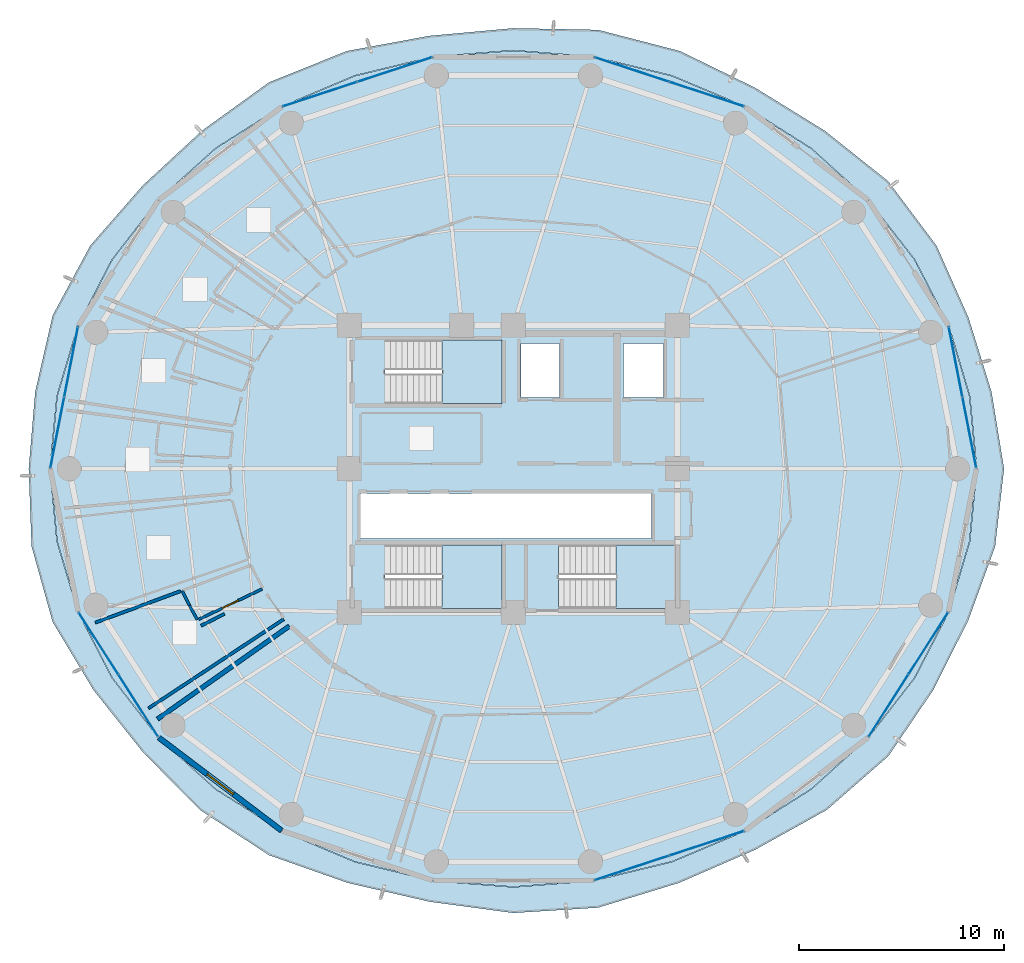
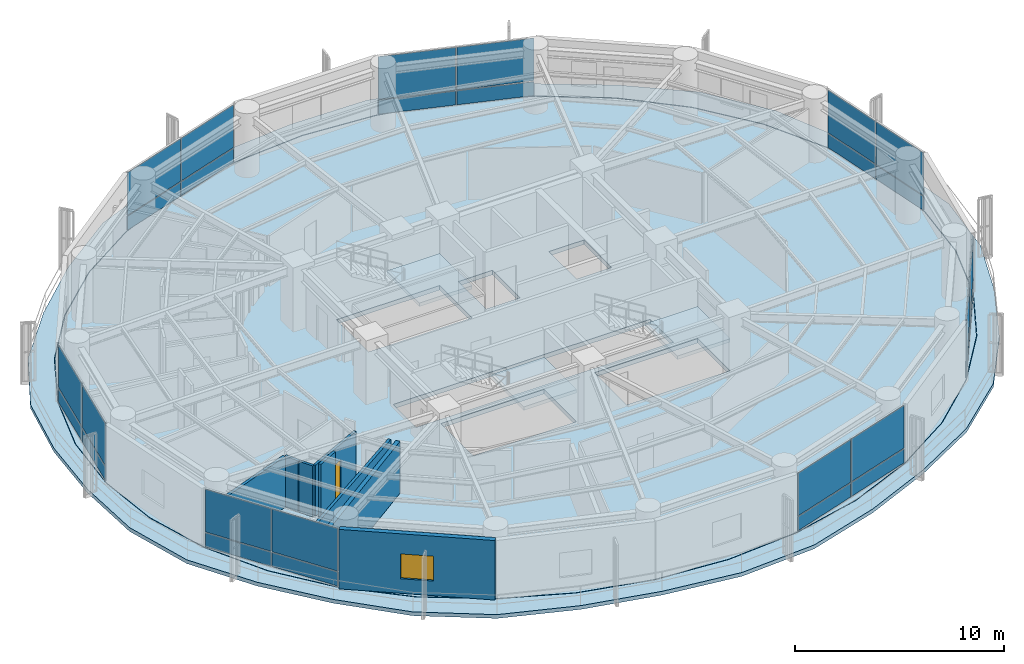
# One storey, part 20 of 27: 28 plates, 8 walls, 5 slabs, 1 door, 1 window, 2 openings, 10 elements without a shape of their own.
"""IFC4 building model written with IfcOpenShell, lengths in metres."""

from ifc_helpers import new_model, si_unit, direction, frame, frame_2d, origin, origin_2d, place, context, subcontext, project, spatial, polyline, rectangle, outline, extrude, source, transform, mapped, material, layer, layer_set, type_object, element, fill, aggregate, save


model = new_model("IFC4")

# Units and contexts
model_context = context("Model", 3, precision=1e-05, world=origin(), true_north=direction((0.0, 1.0)))
body_context = subcontext(model_context, "Body", "Model", "MODEL_VIEW")
ifc_project = project(units=[si_unit("LENGTHUNIT", "METRE"), si_unit("AREAUNIT", "SQUARE_METRE"), si_unit("VOLUMEUNIT", "CUBIC_METRE"), si_unit("PLANEANGLEUNIT", "RADIAN"), si_unit("MASSUNIT", "GRAM", prefix="KILO")], contexts=[model_context])

# Site, building, storey
site_placement = place(None, origin())
site = spatial("IfcSite", under=ifc_project, at=site_placement, CompositionType="ELEMENT")
building_placement = place(site_placement, origin())
building = spatial("IfcBuilding", under=site, at=building_placement, Name="Kelanora Arch Commons", CompositionType="ELEMENT")
storey_placement = place(building_placement, frame((0.0, 0.0, 169.35009765625)))
storey = spatial("IfcBuildingStorey", under=building, at=storey_placement, Name="L43", CompositionType="ELEMENT", Elevation=169.35009765625)

# Stair, slab
ifc_material_1 = material(Name="Concrete C40/50", Category="concrete")
stair_type = type_object("IfcStairType", Name="STR-DL-375", PredefinedType="HALF_TURN_STAIR", material=ifc_material_1)
stair_1_placement = place(storey_placement, origin())
stair_1 = element("IfcStair", 1, at=stair_1_placement, inside=storey, type_object=stair_type, Name="L43 ST-T1", PredefinedType="HALF_TURN_STAIR")
ifc_layer_1 = layer(ifc_material_1, 0.199951171875)
ifc_layer_set_1 = layer_set([ifc_layer_1], Name="Concrete C40/50")
slab_type_1 = type_object("IfcSlabType", Name="SLB-STAIR-LND", PredefinedType="LANDING", material=ifc_layer_set_1)
slab_1_placement = place(storey_placement, frame((0.0, 0.0, 1.6748046875)))
slab_1 = element("IfcSlab", 2, at=slab_1_placement, type_object=slab_type_1, Name="ST-T1 landing 1", PredefinedType="LANDING", context=body_context, shape_type="SweptSolid", body=[
    extrude(outline(polyline([(70.52001953125, 61.179931640625), (73.43994140625, 61.179931640625), (73.43994140625, 64.2900390625), (70.52001953125, 64.2900390625), (70.52001953125, 61.179931640625)])), origin(), (0.0, 0.0, 1.0), 0.2001953125),
])
aggregate(stair_1, [slab_1])

stair_2_placement = place(storey_placement, origin())
stair_2 = element("IfcStair", 3, at=stair_2_placement, inside=storey, type_object=stair_type, Name="L43 ST-T2", PredefinedType="HALF_TURN_STAIR")
slab_2_placement = place(storey_placement, frame((0.0, 0.0, 1.6748046875)))
slab_2 = element("IfcSlab", 4, at=slab_2_placement, type_object=slab_type_1, Name="ST-T2 landing 1", PredefinedType="LANDING", context=body_context, shape_type="SweptSolid", body=[
    extrude(outline(polyline([(79.0, 51.179931640625), (81.919921875, 51.179931640625), (81.919921875, 54.2900390625), (79.0, 54.2900390625), (79.0, 51.179931640625)])), origin(), (0.0, 0.0, 1.0), 0.2001953125),
])
aggregate(stair_2, [slab_2])

stair_3_placement = place(storey_placement, origin())
stair_3 = element("IfcStair", 5, at=stair_3_placement, inside=storey, type_object=stair_type, Name="L43 ST-T3", PredefinedType="HALF_TURN_STAIR")
slab_3_placement = place(storey_placement, frame((0.0, 0.0, 1.6748046875)))
slab_3 = element("IfcSlab", 6, at=slab_3_placement, type_object=slab_type_1, Name="ST-T3 landing 1", PredefinedType="LANDING", context=body_context, shape_type="SweptSolid", body=[
    extrude(outline(polyline([(70.52001953125, 51.179931640625), (73.43994140625, 51.179931640625), (73.43994140625, 54.2900390625), (70.52001953125, 54.2900390625), (70.52001953125, 51.179931640625)])), origin(), (0.0, 0.0, 1.0), 0.2001953125),
])
aggregate(stair_3, [slab_3])

# Slabs
ifc_layer_2 = layer(ifc_material_1, 0.260009765625)
ifc_layer_set_2 = layer_set([ifc_layer_2], Name="Concrete C40/50")
slab_type_2 = type_object("IfcSlabType", Name="SLB-TWR-TYP", PredefinedType="FLOOR", material=ifc_layer_set_2)
slab_4_placement = place(storey_placement, frame((0.0, 0.0, -0.260009765625)))
element("IfcSlab", 7, at=slab_4_placement, inside=storey, type_object=slab_type_2, Name="Tower Floor Slab L43", PredefinedType="FLOOR", context=body_context, shape_type="SweptSolid", body=[
    extrude(outline(polyline([(96.60009765625, 58.0), (96.256591796875, 61.54248046875), (95.237060546875, 64.977294921875), (93.572265625, 68.199951171875), (91.3125, 71.11279296875), (88.527099609375, 73.627197265625), (85.300048828125, 75.6669921875), (81.729736328125, 77.169677734375), (77.92431640625, 78.090087890625), (74.0, 78.39990234375), (70.07568359375, 78.090087890625), (66.270263671875, 77.169677734375), (62.699951171875, 75.6669921875), (59.472900390625, 73.627197265625), (56.6875, 71.11279296875), (54.427734375, 68.199951171875), (52.762939453125, 64.977294921875), (51.743408203125, 61.54248046875), (51.39990234375, 58.0), (51.743408203125, 54.45751953125), (52.762939453125, 51.022705078125), (54.427734375, 47.800048828125), (56.6875, 44.88720703125), (59.472900390625, 42.372802734375), (62.699951171875, 40.3330078125), (66.270263671875, 38.830322265625), (70.07568359375, 37.909912109375), (74.0, 37.60009765625), (77.92431640625, 37.909912109375), (81.729736328125, 38.830322265625), (85.300048828125, 40.3330078125), (88.527099609375, 42.372802734375), (91.3125, 44.88720703125), (93.572265625, 47.800048828125), (95.237060546875, 51.022705078125), (96.256591796875, 54.45751953125), (96.60009765625, 58.0)]), holes=[polyline([(73.431884765625, 51.18798828125), (67.72802734375, 51.18798828125), (67.72802734375, 54.281982421875), (73.431884765625, 54.281982421875), (73.431884765625, 51.18798828125)]), polyline([(76.2080078125, 51.18798828125), (76.2080078125, 54.281982421875), (81.912109375, 54.281982421875), (81.912109375, 51.18798828125), (76.2080078125, 51.18798828125)]), polyline([(66.550048828125, 54.60009765625), (66.550048828125, 56.800048828125), (80.75, 56.800048828125), (80.75, 54.60009765625), (66.550048828125, 54.60009765625)]), polyline([(73.431884765625, 61.18798828125), (67.72802734375, 61.18798828125), (67.72802734375, 64.281982421875), (73.431884765625, 64.281982421875), (73.431884765625, 61.18798828125)]), polyline([(74.3798828125, 61.47998046875), (74.3798828125, 64.1201171875), (76.260009765625, 64.1201171875), (76.260009765625, 61.47998046875), (74.3798828125, 61.47998046875)]), polyline([(79.3798828125, 61.47998046875), (79.3798828125, 64.1201171875), (81.320068359375, 64.1201171875), (81.320068359375, 61.47998046875), (79.3798828125, 61.47998046875)])]), origin(), (0.0, 0.0, 1.0), 0.260009765625),
])
ifc_layer_3 = layer(ifc_material_1, 0.219970703125)
ifc_layer_set_3 = layer_set([ifc_layer_3], Name="Concrete C40/50")
slab_type_3 = type_object("IfcSlabType", Name="SLB-WAVE-BAL", PredefinedType="FLOOR", material=ifc_layer_set_3)
slab_5_placement = place(storey_placement, frame((0.0, 0.0, -0.22021484375)))
element("IfcSlab", 8, at=slab_5_placement, inside=storey, type_object=slab_type_3, Name="Sinusoidal Wave Balcony Slab L43", PredefinedType="FLOOR", context=body_context, shape_type="SweptSolid", body=[
    extrude(outline(polyline([(97.94287109375, 58.0), (97.333251953125, 61.752685546875), (96.2109375, 65.369873046875), (94.64794921875, 68.88818359375), (92.296142578125, 72.027099609375), (89.189208984375, 74.501708984375), (85.785400390625, 76.59814453125), (82.128173828125, 78.3828125), (78.135498046875, 79.416259765625), (74.0, 79.4970703125), (69.910400390625, 79.126953125), (65.871826171875, 78.3828125), (62.079345703125, 76.85791015625), (58.810791015625, 74.501708984375), (55.91845703125, 71.827880859375), (53.35205078125, 68.88818359375), (51.517578125, 65.4794921875), (50.666748046875, 61.752685546875), (50.35009765625, 58.0), (50.489990234375, 54.212890625), (51.517578125, 50.5205078125), (53.503662109375, 47.208984375), (55.91845703125, 44.172119140625), (58.701904296875, 41.354736328125), (62.079345703125, 39.14208984375), (65.927978515625, 37.7880859375), (69.910400390625, 36.873046875), (74.0, 36.322998046875), (78.135498046875, 36.583740234375), (82.072021484375, 37.7880859375), (85.785400390625, 39.40185546875), (89.298095703125, 41.354736328125), (92.296142578125, 43.972900390625), (94.496337890625, 47.208984375), (96.2109375, 50.630126953125), (97.510009765625, 54.212890625), (97.94287109375, 58.0)]), holes=[polyline([(96.2763671875, 54.4541015625), (95.255859375, 51.015869140625), (93.589599609375, 47.7900390625), (91.327880859375, 44.874267578125), (88.539794921875, 42.357421875), (85.31005859375, 40.31591796875), (81.736572265625, 38.8115234375), (77.927978515625, 37.89013671875), (74.0, 37.580078125), (70.072021484375, 37.89013671875), (66.263427734375, 38.8115234375), (62.68994140625, 40.31591796875), (59.460205078125, 42.357421875), (56.672119140625, 44.874267578125), (54.410400390625, 47.7900390625), (52.744140625, 51.015869140625), (51.7236328125, 54.4541015625), (51.3798828125, 58.0), (51.7236328125, 61.5458984375), (52.744140625, 64.984130859375), (54.410400390625, 68.2099609375), (56.672119140625, 71.125732421875), (59.460205078125, 73.642578125), (62.68994140625, 75.68408203125), (66.263427734375, 77.1884765625), (70.072021484375, 78.10986328125), (74.0, 78.419921875), (77.927978515625, 78.10986328125), (81.736572265625, 77.1884765625), (85.31005859375, 75.68408203125), (88.539794921875, 73.642578125), (91.327880859375, 71.125732421875), (93.589599609375, 68.2099609375), (95.255859375, 64.984130859375), (96.2763671875, 61.5458984375), (96.6201171875, 58.0), (96.2763671875, 54.4541015625)])]), origin(), (0.0, 0.0, 1.0), 0.22021484375),
])

# Curtain wall, plates
ifc_material_2 = material(Name="Terracotta ceramic-fritted low-E glass and aluminium", Category="masonry")
ifc_layer_4 = layer(ifc_material_2, 0.175048828125)
ifc_layer_set_4 = layer_set([ifc_layer_4], Name="Terracotta ceramic-fritted low-E glass and aluminium")
curtain_wall_type = type_object("IfcCurtainWallType", Name="CW-SYS-02", PredefinedType="NOTDEFINED", material=ifc_layer_set_4)
curtain_wall_1_placement = place(storey_placement, origin())
curtain_wall_1 = element("IfcCurtainWall", 9, at=curtain_wall_1_placement, inside=storey, type_object=curtain_wall_type, Name="Unitised Curtain Wall L43-B00", PredefinedType="NOTDEFINED")
ifc_material_3 = material(Name="Terracotta ceramic-fritted double glazing", Category="masonry")
ifc_layer_5 = layer(ifc_material_3, 0.028076171875)
ifc_layer_set_5 = layer_set([ifc_layer_5], Name="Terracotta ceramic-fritted double glazing")
plate_type = type_object("IfcPlateType", Name="CWP-FRIT", PredefinedType="CURTAIN_PANEL", material=ifc_layer_set_5)
shared_shape_1 = source(origin(), body_context, "Body", "SweptSolid", [
    extrude(rectangle(XDim=3.449462890625, YDim=0.028076171875, at=origin_2d()), origin(), (0.0, 0.0, 1.0), 0.81005859375),
])
plate_1_placement = place(storey_placement, frame((96.2548828125, 59.766357421875, 0.059814453125), z_axis=(0.0, 0.0, 1.0), x_axis=(-0.191705182375, 0.981452557718, 0.0)))
plate_1 = element("IfcPlate", 10, at=plate_1_placement, type_object=plate_type, Name="CW-02 panel 1.1", PredefinedType="CURTAIN_PANEL", context=body_context, shape_type="MappedRepresentation", body=[
    mapped(shared_shape_1, transform((0.0, 0.0, 0.0), scale=1.0)),
])
plate_2_placement = place(storey_placement, frame((95.58203125, 63.2109375, 0.059814453125), z_axis=(0.0, 0.0, 1.0), x_axis=(-0.191705182375, 0.981452557718, 0.0)))
plate_2 = element("IfcPlate", 11, at=plate_2_placement, type_object=plate_type, Name="CW-02 panel 2.1", PredefinedType="CURTAIN_PANEL", context=body_context, shape_type="MappedRepresentation", body=[
    mapped(shared_shape_1, transform((0.0, 0.0, 0.0), scale=1.0)),
])

curtain_wall_2_placement = place(storey_placement, origin())
curtain_wall_2 = element("IfcCurtainWall", 12, at=curtain_wall_2_placement, inside=storey, type_object=curtain_wall_type, Name="Unitised Curtain Wall L43-B08", PredefinedType="NOTDEFINED")
plate_3_placement = place(storey_placement, frame((52.41796875, 63.2109375, 0.059814453125), z_axis=(0.0, 0.0, 1.0), x_axis=(-0.191705182375, -0.981452557718, 0.0)))
plate_3 = element("IfcPlate", 13, at=plate_3_placement, type_object=plate_type, Name="CW-02 panel 1.1", PredefinedType="CURTAIN_PANEL", context=body_context, shape_type="MappedRepresentation", body=[
    mapped(shared_shape_1, transform((0.0, 0.0, 0.0), scale=1.0)),
])
plate_4_placement = place(storey_placement, frame((51.7451171875, 59.766357421875, 0.059814453125), z_axis=(0.0, 0.0, 1.0), x_axis=(-0.191705182375, -0.981452557718, 0.0)))
plate_4 = element("IfcPlate", 14, at=plate_4_placement, type_object=plate_type, Name="CW-02 panel 2.1", PredefinedType="CURTAIN_PANEL", context=body_context, shape_type="MappedRepresentation", body=[
    mapped(shared_shape_1, transform((0.0, 0.0, 0.0), scale=1.0)),
])

# Plate
shared_shape_2 = source(origin(), body_context, "Body", "SweptSolid", [
    extrude(rectangle(XDim=3.449462890625, YDim=0.028076171875, at=origin_2d()), origin(), (0.0, 0.0, 1.0), 2.485107421875),
])
plate_5_placement = place(storey_placement, frame((96.2548828125, 59.766357421875, 0.9296875), z_axis=(0.0, 0.0, 1.0), x_axis=(-0.191705182375, 0.981452557718, 0.0)))
plate_5 = element("IfcPlate", 15, at=plate_5_placement, type_object=plate_type, Name="CW-02 panel 1.2", PredefinedType="CURTAIN_PANEL", context=body_context, shape_type="MappedRepresentation", body=[
    mapped(shared_shape_2, transform((0.0, 0.0, 0.0), scale=1.0)),
])

plate_6_placement = place(storey_placement, frame((95.58203125, 63.2109375, 0.9296875), z_axis=(0.0, 0.0, 1.0), x_axis=(-0.191705182375, 0.981452557718, 0.0)))
plate_6 = element("IfcPlate", 16, at=plate_6_placement, type_object=plate_type, Name="CW-02 panel 2.2", PredefinedType="CURTAIN_PANEL", context=body_context, shape_type="MappedRepresentation", body=[
    mapped(shared_shape_2, transform((0.0, 0.0, 0.0), scale=1.0)),
])

aggregate(curtain_wall_1, [plate_1, plate_5, plate_2, plate_6])

plate_7_placement = place(storey_placement, frame((52.41796875, 63.2109375, 0.9296875), z_axis=(0.0, 0.0, 1.0), x_axis=(-0.191705182375, -0.981452557718, 0.0)))
plate_7 = element("IfcPlate", 17, at=plate_7_placement, type_object=plate_type, Name="CW-02 panel 1.2", PredefinedType="CURTAIN_PANEL", context=body_context, shape_type="MappedRepresentation", body=[
    mapped(shared_shape_2, transform((0.0, 0.0, 0.0), scale=1.0)),
])

plate_8_placement = place(storey_placement, frame((51.7451171875, 59.766357421875, 0.9296875), z_axis=(0.0, 0.0, 1.0), x_axis=(-0.191705182375, -0.981452557718, 0.0)))
plate_8 = element("IfcPlate", 18, at=plate_8_placement, type_object=plate_type, Name="CW-02 panel 2.2", PredefinedType="CURTAIN_PANEL", context=body_context, shape_type="MappedRepresentation", body=[
    mapped(shared_shape_2, transform((0.0, 0.0, 0.0), scale=1.0)),
])

aggregate(curtain_wall_2, [plate_3, plate_7, plate_4, plate_8])

# Curtain wall, plates
curtain_wall_3_placement = place(storey_placement, origin())
curtain_wall_3 = element("IfcCurtainWall", 19, at=curtain_wall_3_placement, inside=storey, type_object=curtain_wall_type, Name="Unitised Curtain Wall L43-B03", PredefinedType="NOTDEFINED")
shared_shape_3 = source(origin(), body_context, "Body", "SweptSolid", [
    extrude(rectangle(XDim=3.776611328125, YDim=0.028076171875, at=origin_2d()), origin(), (0.0, 0.0, 1.0), 0.81005859375),
])
plate_9_placement = place(storey_placement, frame((83.434814453125, 76.27978515625, 0.059814453125), z_axis=(0.0, 0.0, 1.0), x_axis=(-0.95003996605, 0.312128279571, 0.0)))
plate_9 = element("IfcPlate", 20, at=plate_9_placement, type_object=plate_type, Name="CW-02 panel 1.1", PredefinedType="CURTAIN_PANEL", context=body_context, shape_type="MappedRepresentation", body=[
    mapped(shared_shape_3, transform((0.0, 0.0, 0.0), scale=1.0)),
])
plate_10_placement = place(storey_placement, frame((79.789794921875, 77.477294921875, 0.059814453125), z_axis=(0.0, 0.0, 1.0), x_axis=(-0.95003996605, 0.312128279571, 0.0)))
plate_10 = element("IfcPlate", 21, at=plate_10_placement, type_object=plate_type, Name="CW-02 panel 2.1", PredefinedType="CURTAIN_PANEL", context=body_context, shape_type="MappedRepresentation", body=[
    mapped(shared_shape_3, transform((0.0, 0.0, 0.0), scale=1.0)),
])

curtain_wall_4_placement = place(storey_placement, origin())
curtain_wall_4 = element("IfcCurtainWall", 22, at=curtain_wall_4_placement, inside=storey, type_object=curtain_wall_type, Name="Unitised Curtain Wall L43-B05", PredefinedType="NOTDEFINED")
plate_11_placement = place(storey_placement, frame((68.210205078125, 77.477294921875, 0.059814453125), z_axis=(0.0, 0.0, 1.0), x_axis=(-0.95003996605, -0.312128279571, 0.0)))
plate_11 = element("IfcPlate", 23, at=plate_11_placement, type_object=plate_type, Name="CW-02 panel 1.1", PredefinedType="CURTAIN_PANEL", context=body_context, shape_type="MappedRepresentation", body=[
    mapped(shared_shape_3, transform((0.0, 0.0, 0.0), scale=1.0)),
])
plate_12_placement = place(storey_placement, frame((64.565185546875, 76.27978515625, 0.059814453125), z_axis=(0.0, 0.0, 1.0), x_axis=(-0.95003996605, -0.312128279571, 0.0)))
plate_12 = element("IfcPlate", 24, at=plate_12_placement, type_object=plate_type, Name="CW-02 panel 2.1", PredefinedType="CURTAIN_PANEL", context=body_context, shape_type="MappedRepresentation", body=[
    mapped(shared_shape_3, transform((0.0, 0.0, 0.0), scale=1.0)),
])

curtain_wall_5_placement = place(storey_placement, origin())
curtain_wall_5 = element("IfcCurtainWall", 25, at=curtain_wall_5_placement, inside=storey, type_object=curtain_wall_type, Name="Unitised Curtain Wall L43-B14", PredefinedType="NOTDEFINED")
plate_13_placement = place(storey_placement, frame((79.789794921875, 38.522705078125, 0.059814453125), z_axis=(0.0, 0.0, 1.0), x_axis=(0.95003996605, 0.312128279571, 0.0)))
plate_13 = element("IfcPlate", 26, at=plate_13_placement, type_object=plate_type, Name="CW-02 panel 1.1", PredefinedType="CURTAIN_PANEL", context=body_context, shape_type="MappedRepresentation", body=[
    mapped(shared_shape_3, transform((0.0, 0.0, 0.0), scale=1.0)),
])
plate_14_placement = place(storey_placement, frame((83.434814453125, 39.72021484375, 0.059814453125), z_axis=(0.0, 0.0, 1.0), x_axis=(0.95003996605, 0.312128279571, 0.0)))
plate_14 = element("IfcPlate", 27, at=plate_14_placement, type_object=plate_type, Name="CW-02 panel 2.1", PredefinedType="CURTAIN_PANEL", context=body_context, shape_type="MappedRepresentation", body=[
    mapped(shared_shape_3, transform((0.0, 0.0, 0.0), scale=1.0)),
])

# Plate
shared_shape_4 = source(origin(), body_context, "Body", "SweptSolid", [
    extrude(rectangle(XDim=3.776611328125, YDim=0.028076171875, at=origin_2d()), origin(), (0.0, 0.0, 1.0), 2.485107421875),
])
plate_15_placement = place(storey_placement, frame((83.434814453125, 76.27978515625, 0.9296875), z_axis=(0.0, 0.0, 1.0), x_axis=(-0.95003996605, 0.312128279571, 0.0)))
plate_15 = element("IfcPlate", 28, at=plate_15_placement, type_object=plate_type, Name="CW-02 panel 1.2", PredefinedType="CURTAIN_PANEL", context=body_context, shape_type="MappedRepresentation", body=[
    mapped(shared_shape_4, transform((0.0, 0.0, 0.0), scale=1.0)),
])

plate_16_placement = place(storey_placement, frame((79.789794921875, 77.477294921875, 0.9296875), z_axis=(0.0, 0.0, 1.0), x_axis=(-0.95003996605, 0.312128279571, 0.0)))
plate_16 = element("IfcPlate", 29, at=plate_16_placement, type_object=plate_type, Name="CW-02 panel 2.2", PredefinedType="CURTAIN_PANEL", context=body_context, shape_type="MappedRepresentation", body=[
    mapped(shared_shape_4, transform((0.0, 0.0, 0.0), scale=1.0)),
])

aggregate(curtain_wall_3, [plate_9, plate_15, plate_10, plate_16])

plate_17_placement = place(storey_placement, frame((68.210205078125, 77.477294921875, 0.9296875), z_axis=(0.0, 0.0, 1.0), x_axis=(-0.95003996605, -0.312128279571, 0.0)))
plate_17 = element("IfcPlate", 30, at=plate_17_placement, type_object=plate_type, Name="CW-02 panel 1.2", PredefinedType="CURTAIN_PANEL", context=body_context, shape_type="MappedRepresentation", body=[
    mapped(shared_shape_4, transform((0.0, 0.0, 0.0), scale=1.0)),
])

plate_18_placement = place(storey_placement, frame((64.565185546875, 76.27978515625, 0.9296875), z_axis=(0.0, 0.0, 1.0), x_axis=(-0.95003996605, -0.312128279571, 0.0)))
plate_18 = element("IfcPlate", 31, at=plate_18_placement, type_object=plate_type, Name="CW-02 panel 2.2", PredefinedType="CURTAIN_PANEL", context=body_context, shape_type="MappedRepresentation", body=[
    mapped(shared_shape_4, transform((0.0, 0.0, 0.0), scale=1.0)),
])

aggregate(curtain_wall_4, [plate_11, plate_17, plate_12, plate_18])

plate_19_placement = place(storey_placement, frame((79.789794921875, 38.522705078125, 0.9296875), z_axis=(0.0, 0.0, 1.0), x_axis=(0.95003996605, 0.312128279571, 0.0)))
plate_19 = element("IfcPlate", 32, at=plate_19_placement, type_object=plate_type, Name="CW-02 panel 1.2", PredefinedType="CURTAIN_PANEL", context=body_context, shape_type="MappedRepresentation", body=[
    mapped(shared_shape_4, transform((0.0, 0.0, 0.0), scale=1.0)),
])

plate_20_placement = place(storey_placement, frame((83.434814453125, 39.72021484375, 0.9296875), z_axis=(0.0, 0.0, 1.0), x_axis=(0.95003996605, 0.312128279571, 0.0)))
plate_20 = element("IfcPlate", 33, at=plate_20_placement, type_object=plate_type, Name="CW-02 panel 2.2", PredefinedType="CURTAIN_PANEL", context=body_context, shape_type="MappedRepresentation", body=[
    mapped(shared_shape_4, transform((0.0, 0.0, 0.0), scale=1.0)),
])

aggregate(curtain_wall_5, [plate_13, plate_19, plate_14, plate_20])

# Curtain wall, plates
curtain_wall_6_placement = place(storey_placement, origin())
curtain_wall_6 = element("IfcCurtainWall", 34, at=curtain_wall_6_placement, inside=storey, type_object=curtain_wall_type, Name="Unitised Curtain Wall L43-B10", PredefinedType="NOTDEFINED")
shared_shape_5 = source(origin(), body_context, "Body", "SweptSolid", [
    extrude(rectangle(XDim=3.53662109375, YDim=0.028076171875, at=origin_2d()), origin(), (0.0, 0.0, 1.0), 0.81005859375),
])
plate_21_placement = place(storey_placement, frame((53.756103515625, 49.469970703125, 0.059814453125), z_axis=(0.0, 0.0, 1.0), x_axis=(0.538816988983, -0.842422846546, 0.0)))
plate_21 = element("IfcPlate", 35, at=plate_21_placement, type_object=plate_type, Name="CW-02 panel 1.1", PredefinedType="CURTAIN_PANEL", context=body_context, shape_type="MappedRepresentation", body=[
    mapped(shared_shape_5, transform((0.0, 0.0, 0.0), scale=1.0)),
])
plate_22_placement = place(storey_placement, frame((55.694091796875, 46.43994140625, 0.059814453125), z_axis=(0.0, 0.0, 1.0), x_axis=(0.538816988983, -0.842422846546, 0.0)))
plate_22 = element("IfcPlate", 36, at=plate_22_placement, type_object=plate_type, Name="CW-02 panel 2.1", PredefinedType="CURTAIN_PANEL", context=body_context, shape_type="MappedRepresentation", body=[
    mapped(shared_shape_5, transform((0.0, 0.0, 0.0), scale=1.0)),
])

curtain_wall_7_placement = place(storey_placement, origin())
curtain_wall_7 = element("IfcCurtainWall", 37, at=curtain_wall_7_placement, inside=storey, type_object=curtain_wall_type, Name="Unitised Curtain Wall L43-B16", PredefinedType="NOTDEFINED")
plate_23_placement = place(storey_placement, frame((92.305908203125, 46.43994140625, 0.059814453125), z_axis=(0.0, 0.0, 1.0), x_axis=(0.538816988983, 0.842422846546, 0.0)))
plate_23 = element("IfcPlate", 38, at=plate_23_placement, type_object=plate_type, Name="CW-02 panel 1.1", PredefinedType="CURTAIN_PANEL", context=body_context, shape_type="MappedRepresentation", body=[
    mapped(shared_shape_5, transform((0.0, 0.0, 0.0), scale=1.0)),
])
plate_24_placement = place(storey_placement, frame((94.243896484375, 49.469970703125, 0.059814453125), z_axis=(0.0, 0.0, 1.0), x_axis=(0.538816988983, 0.842422846546, 0.0)))
plate_24 = element("IfcPlate", 39, at=plate_24_placement, type_object=plate_type, Name="CW-02 panel 2.1", PredefinedType="CURTAIN_PANEL", context=body_context, shape_type="MappedRepresentation", body=[
    mapped(shared_shape_5, transform((0.0, 0.0, 0.0), scale=1.0)),
])

# Plate
shared_shape_6 = source(origin(), body_context, "Body", "SweptSolid", [
    extrude(rectangle(XDim=3.53662109375, YDim=0.028076171875, at=origin_2d()), origin(), (0.0, 0.0, 1.0), 2.485107421875),
])
plate_25_placement = place(storey_placement, frame((53.756103515625, 49.469970703125, 0.9296875), z_axis=(0.0, 0.0, 1.0), x_axis=(0.538816988983, -0.842422846546, 0.0)))
plate_25 = element("IfcPlate", 40, at=plate_25_placement, type_object=plate_type, Name="CW-02 panel 1.2", PredefinedType="CURTAIN_PANEL", context=body_context, shape_type="MappedRepresentation", body=[
    mapped(shared_shape_6, transform((0.0, 0.0, 0.0), scale=1.0)),
])

plate_26_placement = place(storey_placement, frame((55.694091796875, 46.43994140625, 0.9296875), z_axis=(0.0, 0.0, 1.0), x_axis=(0.538816988983, -0.842422846546, 0.0)))
plate_26 = element("IfcPlate", 41, at=plate_26_placement, type_object=plate_type, Name="CW-02 panel 2.2", PredefinedType="CURTAIN_PANEL", context=body_context, shape_type="MappedRepresentation", body=[
    mapped(shared_shape_6, transform((0.0, 0.0, 0.0), scale=1.0)),
])

aggregate(curtain_wall_6, [plate_21, plate_25, plate_22, plate_26])

plate_27_placement = place(storey_placement, frame((92.305908203125, 46.43994140625, 0.9296875), z_axis=(0.0, 0.0, 1.0), x_axis=(0.538816988983, 0.842422846546, 0.0)))
plate_27 = element("IfcPlate", 42, at=plate_27_placement, type_object=plate_type, Name="CW-02 panel 1.2", PredefinedType="CURTAIN_PANEL", context=body_context, shape_type="MappedRepresentation", body=[
    mapped(shared_shape_6, transform((0.0, 0.0, 0.0), scale=1.0)),
])

plate_28_placement = place(storey_placement, frame((94.243896484375, 49.469970703125, 0.9296875), z_axis=(0.0, 0.0, 1.0), x_axis=(0.538816988983, 0.842422846546, 0.0)))
plate_28 = element("IfcPlate", 43, at=plate_28_placement, type_object=plate_type, Name="CW-02 panel 2.2", PredefinedType="CURTAIN_PANEL", context=body_context, shape_type="MappedRepresentation", body=[
    mapped(shared_shape_6, transform((0.0, 0.0, 0.0), scale=1.0)),
])

aggregate(curtain_wall_7, [plate_23, plate_27, plate_24, plate_28])

# Walls
ifc_material_4 = material(Name="Autoclaved aerated concrete blockwork with fire plaster", Category="masonry")
ifc_layer_6 = layer(ifc_material_4, 0.14990234375)
ifc_layer_set_6 = layer_set([ifc_layer_6], Name="Autoclaved aerated concrete blockwork with fire plaster")
wall_type_1 = type_object("IfcWallType", Name="W-COMP-150", PredefinedType="PARTITIONING", material=ifc_layer_set_6)
wall_1_placement = place(storey_placement, frame((62.79150390625, 50.654052734375, 0.0), z_axis=(0.0, 0.0, 1.0), x_axis=(-0.83517952007, -0.549977426133, 0.0)))
element("IfcWall", 44, at=wall_1_placement, inside=storey, type_object=wall_type_1, Name="Cluster Bedroom L43-06 Enclosure Partition 2", PredefinedType="PARTITIONING", context=body_context, shape_type="SweptSolid", body=[
    extrude(rectangle(XDim=7.900390625, YDim=0.14990234375, at=frame_2d((3.9501953125, 0.0))), origin(), (0.0, 0.0, 1.0), 3.02490234375),
])
wall_2_placement = place(storey_placement, frame((53.599609375, 50.49169921875, 0.0), z_axis=(0.0, 0.0, 1.0), x_axis=(0.938127824556, 0.346289163554, 0.0)))
element("IfcWall", 45, at=wall_2_placement, inside=storey, type_object=wall_type_1, Name="Cluster Bedroom L43-06 Enclosure Partition 5", PredefinedType="PARTITIONING", context=body_context, shape_type="SweptSolid", body=[
    extrude(rectangle(XDim=4.4375, YDim=0.14990234375, at=frame_2d((2.21875, 0.0))), origin(), (0.0, 0.0, 1.0), 2.974853515625),
])
wall_3_placement = place(storey_placement, frame((58.756591796875, 50.340087890625, 0.0), z_axis=(0.0, 0.0, 1.0), x_axis=(0.89282717288, 0.450399422033, 0.0)))
element("IfcWall", 46, at=wall_3_placement, inside=storey, type_object=wall_type_1, Name="Cluster Bedroom L43-06 Enclosure Partition 7", PredefinedType="PARTITIONING", context=body_context, shape_type="SweptSolid", body=[
    extrude(rectangle(XDim=1.286376953125, YDim=0.14990234375, at=frame_2d((0.64306640625, 0.0))), origin(), (0.0, 0.0, 1.0), 3.1748046875),
])

# Wall, opening, window
ifc_material_5 = material(Name="Precast concrete C40/50 with terracotta rainscreen", Category="masonry")
ifc_layer_7 = layer(ifc_material_5, 0.260009765625)
ifc_layer_set_7 = layer_set([ifc_layer_7], Name="Precast concrete C40/50 with terracotta rainscreen")
wall_type_2 = type_object("IfcWallType", Name="W-EXT-TC", PredefinedType="SOLIDWALL", material=ifc_layer_set_7)
wall_4_placement = place(storey_placement, frame((56.699462890625, 44.8779296875, 0.0), z_axis=(0.0, 0.0, 1.0), x_axis=(0.797163719609, -0.603763202042, 0.0)))
wall_4 = element("IfcWall", 47, at=wall_4_placement, inside=storey, type_object=wall_type_2, Name="Terracotta Exterior Wall L43-B11", PredefinedType="SOLIDWALL", context=body_context, shape_type="SweptSolid", body=[
    extrude(rectangle(XDim=7.51220703125, YDim=0.260009765625, at=frame_2d((3.756103515625, 0.0))), origin(), (0.0, 0.0, 1.0), 3.474853515625),
])
opening_1_placement = place(wall_4_placement, frame((2.9560546875, 0.0, 0.85009765625)))
opening_1 = element("IfcOpeningElement", 48, at=opening_1_placement, cuts=wall_4, Name="Opening WN-01", PredefinedType="OPENING", context=body_context, shape_type="SweptSolid", body=[
    extrude(rectangle(XDim=1.60009765625, YDim=1.449951171875, at=frame_2d((0.800048828125, 0.72509765625))), frame((0.0, 0.14013671875, 0.0), z_axis=(0.0, -1.0, 0.0), x_axis=(1.0, 0.0, 0.0)), (0.0, 0.0, 1.0), 0.280029296875),
])
ifc_material_6 = material(Name="Terracotta-anodised aluminium frame with operable low-E glazing", Category="masonry")
window_type = type_object("IfcWindowType", Name="WIN-CL-18", PartitioningType="DOUBLE_PANEL_VERTICAL", PredefinedType="WINDOW", material=ifc_material_6)
window_placement = place(opening_1_placement, origin())
window = element("IfcWindow", 49, at=window_placement, inside=storey, type_object=window_type, Name="Co-Living Operable Window L43-B11", OverallHeight=1.449951171875, OverallWidth=1.60009765625, PartitioningType="SINGLE_PANEL", PredefinedType="WINDOW", context=body_context, shape_type="SweptSolid", body=[
    extrude(rectangle(XDim=1.60009765625, YDim=1.449951171875, at=frame_2d((0.800048828125, 0.72509765625))), frame((0.0, 0.030029296875, 0.0), z_axis=(0.0, -1.0, 0.0), x_axis=(1.0, 0.0, 0.0)), (0.0, 0.0, 1.0), 0.06005859375),
])
fill(opening_1, window)

# Wall
ifc_layer_8 = layer(ifc_material_1, 0.219970703125)
ifc_layer_set_8 = layer_set([ifc_layer_8], Name="Concrete C40/50")
wall_type_3 = type_object("IfcWallType", Name="W-REF-200", PredefinedType="SOLIDWALL", material=ifc_layer_set_8)
wall_5_placement = place(storey_placement, frame((56.6337890625, 45.7841796875, 0.0), z_axis=(0.0, 0.0, 1.0), x_axis=(0.817143941798, 0.576433672145, 0.0)))
element("IfcWall", 50, at=wall_5_placement, inside=storey, type_object=wall_type_3, Name="Two-Hour Fire Refuge Holding Room L43 Enclosure Partition 8", PredefinedType="SOLIDWALL", context=body_context, shape_type="SweptSolid", body=[
    extrude(rectangle(XDim=7.875732421875, YDim=0.219970703125, at=frame_2d((3.93798828125, 0.0))), origin(), (0.0, 0.0, 1.0), 3.02490234375),
])

# Wall, opening, door
ifc_material_7 = material(Name="Moisture-resistant fire-rated cement-board plumbing wall")
ifc_layer_9 = layer(ifc_material_7, 0.1298828125)
ifc_layer_set_9 = layer_set([ifc_layer_9], Name="Moisture-resistant fire-rated cement-board plumbing wall")
wall_type_4 = type_object("IfcWallType", Name="W-WET-120", PredefinedType="PLUMBINGWALL", material=ifc_layer_set_9)
wall_6_placement = place(storey_placement, frame((61.739013671875, 52.132080078125, 0.0), z_axis=(0.0, 0.0, 1.0), x_axis=(-0.901462056275, -0.432858130451, 0.0)))
wall_6 = element("IfcWall", 51, at=wall_6_placement, inside=storey, type_object=wall_type_4, Name="En-Suite Shower WC L43-06 Entry Partition", PredefinedType="PLUMBINGWALL", context=body_context, shape_type="SweptSolid", body=[
    extrude(rectangle(XDim=3.435546875, YDim=0.1298828125, at=frame_2d((1.7177734375, 0.0))), origin(), (0.0, 0.0, 1.0), 2.974853515625),
])
opening_2_placement = place(wall_6_placement, frame((1.2880859375, 0.0, 0.0)))
opening_2 = element("IfcOpeningElement", 52, at=opening_2_placement, cuts=wall_6, Name="Opening D-BT1", PredefinedType="OPENING", context=body_context, shape_type="SweptSolid", body=[
    extrude(rectangle(XDim=0.860107421875, YDim=2.050048828125, at=frame_2d((0.43017578125, 1.02490234375))), frame((0.0, 0.074951171875, 0.0), z_axis=(0.0, -1.0, 0.0), x_axis=(1.0, 0.0, 0.0)), (0.0, 0.0, 1.0), 0.14990234375),
])
ifc_material_8 = material(Name="Moisture-sealed fire-rated accessible bathroom door")
door_type = type_object("IfcDoorType", Name="D-BATH-85", OperationType="NOTDEFINED", PredefinedType="DOOR", material=ifc_material_8)
door_placement = place(opening_2_placement, origin())
door = element("IfcDoor", 53, at=door_placement, inside=storey, type_object=door_type, Name="En-Suite Shower WC L43-06 Door", OperationType="SINGLE_SWING_LEFT", OverallHeight=2.050048828125, OverallWidth=0.860107421875, PredefinedType="DOOR", context=body_context, shape_type="SweptSolid", body=[
    extrude(rectangle(XDim=0.860107421875, YDim=2.050048828125, at=frame_2d((0.43017578125, 1.02490234375))), frame((0.0, 0.02490234375, 0.0), z_axis=(0.0, -1.0, 0.0), x_axis=(1.0, 0.0, 0.0)), (0.0, 0.0, 1.0), 0.050048828125),
])
fill(opening_2, door)

# Walls
wall_7_placement = place(storey_placement, frame((58.578369140625, 50.636474609375, 0.0), z_axis=(0.0, 0.0, 1.0), x_axis=(-0.486767500689, 0.873531567989, 0.0)))
element("IfcWall", 54, at=wall_7_placement, inside=storey, type_object=wall_type_4, Name="En-Suite Shower WC L43-06 Enclosure Partition 4", PredefinedType="PLUMBINGWALL", context=body_context, shape_type="SweptSolid", body=[
    extrude(rectangle(XDim=0.77392578125, YDim=0.1298828125, at=frame_2d((0.386962890625, 0.0))), origin(), (0.0, 0.0, 1.0), 2.974853515625),
])
wall_8_placement = place(storey_placement, frame((58.18310546875, 51.347900390625, 0.0), z_axis=(0.0, 0.0, 1.0), x_axis=(-0.438186235671, 0.898884209934, 0.0)))
element("IfcWall", 55, at=wall_8_placement, inside=storey, type_object=wall_type_4, Name="En-Suite Shower WC L43-06 Enclosure Partition 5", PredefinedType="PLUMBINGWALL", context=body_context, shape_type="SweptSolid", body=[
    extrude(rectangle(XDim=0.77001953125, YDim=0.1298828125, at=frame_2d((0.385009765625, 0.0))), origin(), (0.0, 0.0, 1.0), 2.974853515625),
])

save(model, "model.ifc")
